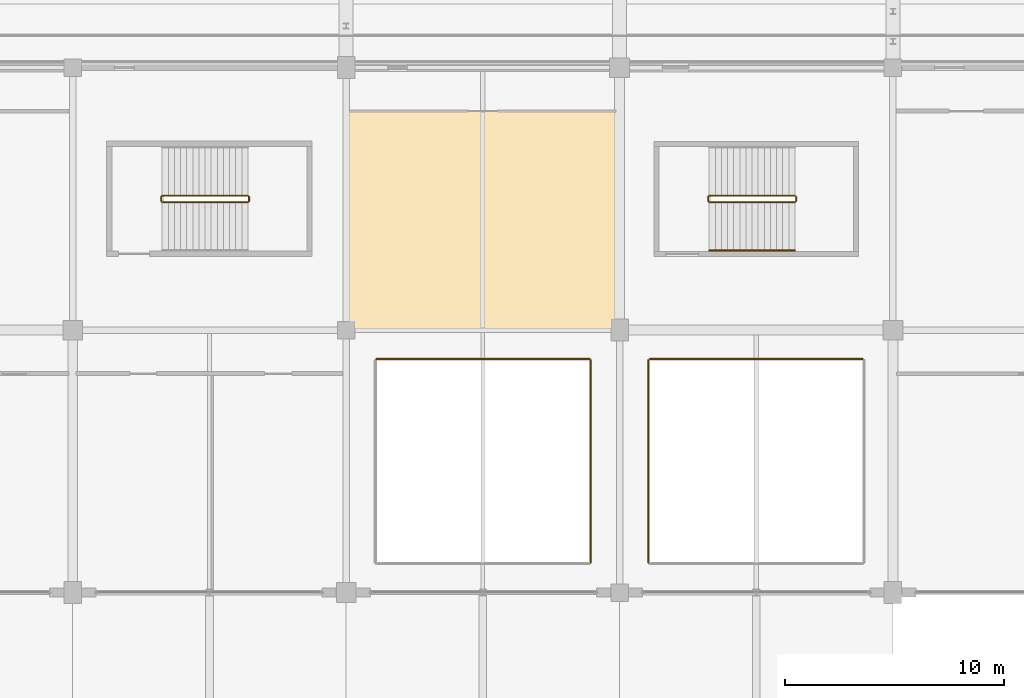
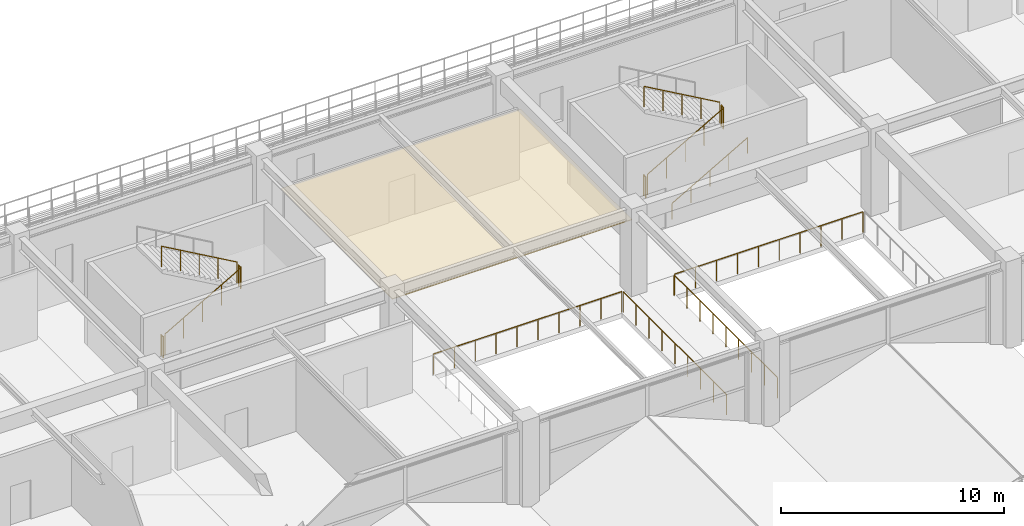
# One storey, part 101 of 134: 13 railings, 1 covering.
"""IFC4 building model written with IfcOpenShell, lengths in metres."""

from ifc_helpers import new_model, si_unit, direction, frame, origin, origin_2d, place, context, subcontext, project, spatial, polyline, circle, outline, extrude, material, layer, layer_set, type_object, element, save


model = new_model("IFC4")

# Units and contexts
model_context = context("Model", 3, precision=1e-05, world=origin(), true_north=direction((0.0, 1.0)))
body_context = subcontext(model_context, "Body", "Model", "MODEL_VIEW")
ifc_project = project(units=[si_unit("LENGTHUNIT", "METRE"), si_unit("AREAUNIT", "SQUARE_METRE"), si_unit("VOLUMEUNIT", "CUBIC_METRE"), si_unit("PLANEANGLEUNIT", "RADIAN"), si_unit("MASSUNIT", "GRAM", prefix="KILO")], contexts=[model_context])

# Site, building, storey
site_placement = place(None, origin())
site = spatial("IfcSite", under=ifc_project, at=site_placement, CompositionType="ELEMENT")
building_placement = place(site_placement, origin())
building = spatial("IfcBuilding", under=site, at=building_placement, Name="Kazenohara Klinker Stadium", CompositionType="ELEMENT")
storey_placement = place(building_placement, frame((0.0, 0.0, 5.39990234375)))
storey = spatial("IfcBuildingStorey", under=building, at=storey_placement, Name="L01", CompositionType="ELEMENT", Elevation=5.39990234375)

# Covering
ifc_material_1 = material(Name="Slatted Hokkaido cedar acoustic baffle ceiling", Category="wood")
ifc_layer_1 = layer(ifc_material_1, 0.0400390625)
ifc_layer_set_1 = layer_set([ifc_layer_1], Name="Slatted Hokkaido cedar acoustic baffle ceiling")
covering_type = type_object("IfcCoveringType", Name="COV-CEIL-02", PredefinedType="CEILING", material=ifc_layer_set_1)
covering_placement = place(storey_placement, frame((0.0, 0.0, 3.739990234375)))
element("IfcCovering", 1, at=covering_placement, inside=storey, type_object=covering_type, Name="Suspended acoustic ceiling CL02 Concourse Supporter Beer Dining Hall L01-0602A", PredefinedType="CEILING", context=body_context, shape_type="SweptSolid", body=[
    extrude(outline(polyline([(74.0400390625, 24.06005859375), (86.4599609375, 24.06005859375), (86.4599609375, 34.0400390625), (74.0400390625, 34.0400390625), (74.0400390625, 24.06005859375)])), origin(), (0.0, 0.0, 1.0), 0.0400390625),
])

# Railings
ifc_material_2 = material(Name="Tempered laminated glass and stainless steel 316 balustrade", Category="steel")
ifc_layer_2 = layer(ifc_material_2, 0.090087890625)
ifc_layer_set_2 = layer_set([ifc_layer_2], Name="Tempered laminated glass and stainless steel 316 balustrade")
railing_type_1 = type_object("IfcRailingType", Name="RL-BAL-1150", PredefinedType="BALUSTRADE", material=ifc_layer_set_2)
railing_1_placement = place(storey_placement, frame((75.3701171875, 22.679931640625, 0.0)))
element("IfcRailing", 2, at=railing_1_placement, inside=storey, type_object=railing_type_1, Name="Double-height atrium gallery balustrade BL01-V01-N", PredefinedType="BALUSTRADE", context=body_context, shape_type="SweptSolid", body=[
    extrude(circle(Radius=0.02392578125, at=origin_2d()), frame((0.0, 0.0, 1.1259765625), z_axis=(1.0, 0.0, 0.0), x_axis=(0.0, 1.0, 0.0)), (0.0, 0.0, 1.0), 9.759765625),
    extrude(circle(Radius=0.02099609375, at=origin_2d()), origin(), (0.0, 0.0, 1.0), 1.101806640625),
    extrude(circle(Radius=0.02099609375, at=origin_2d()), frame((1.08447265625, 0.0, 0.0)), (0.0, 0.0, 1.0), 1.101806640625),
    extrude(circle(Radius=0.02099609375, at=origin_2d()), frame((2.1689453125, 0.0, 0.0)), (0.0, 0.0, 1.0), 1.101806640625),
    extrude(circle(Radius=0.02099609375, at=origin_2d()), frame((3.253173828125, 0.0, 0.0)), (0.0, 0.0, 1.0), 1.101806640625),
    extrude(circle(Radius=0.02099609375, at=origin_2d()), frame((4.337646484375, 0.0, 0.0)), (0.0, 0.0, 1.0), 1.101806640625),
    extrude(circle(Radius=0.02099609375, at=origin_2d()), frame((5.422119140625, 0.0, 0.0)), (0.0, 0.0, 1.0), 1.101806640625),
    extrude(circle(Radius=0.02099609375, at=origin_2d()), frame((6.506591796875, 0.0, 0.0)), (0.0, 0.0, 1.0), 1.101806640625),
    extrude(circle(Radius=0.02099609375, at=origin_2d()), frame((7.5908203125, 0.0, 0.0)), (0.0, 0.0, 1.0), 1.101806640625),
    extrude(circle(Radius=0.02099609375, at=origin_2d()), frame((8.67529296875, 0.0, 0.0)), (0.0, 0.0, 1.0), 1.101806640625),
    extrude(circle(Radius=0.02099609375, at=origin_2d()), frame((9.759765625, 0.0, 0.0)), (0.0, 0.0, 1.0), 1.101806640625),
])
railing_2_placement = place(storey_placement, frame((85.179931640625, 13.3701171875, 0.0)))
element("IfcRailing", 3, at=railing_2_placement, inside=storey, type_object=railing_type_1, Name="Double-height atrium gallery balustrade BL01-V01-E", PredefinedType="BALUSTRADE", context=body_context, shape_type="SweptSolid", body=[
    extrude(circle(Radius=0.02392578125, at=origin_2d()), frame((0.0, 0.0, 1.1259765625), z_axis=(0.0, 1.0, 0.0), x_axis=(-1.0, 0.0, 0.0)), (0.0, 0.0, 1.0), 9.259765625),
    extrude(circle(Radius=0.02099609375, at=origin_2d()), origin(), (0.0, 0.0, 1.0), 1.101806640625),
    extrude(circle(Radius=0.02099609375, at=origin_2d()), frame((0.0, 1.157470703125, 0.0)), (0.0, 0.0, 1.0), 1.101806640625),
    extrude(circle(Radius=0.02099609375, at=origin_2d()), frame((0.0, 2.31494140625, 0.0)), (0.0, 0.0, 1.0), 1.101806640625),
    extrude(circle(Radius=0.02099609375, at=origin_2d()), frame((0.0, 3.472412109375, 0.0)), (0.0, 0.0, 1.0), 1.101806640625),
    extrude(circle(Radius=0.02099609375, at=origin_2d()), frame((0.0, 4.6298828125, 0.0)), (0.0, 0.0, 1.0), 1.101806640625),
    extrude(circle(Radius=0.02099609375, at=origin_2d()), frame((0.0, 5.787353515625, 0.0)), (0.0, 0.0, 1.0), 1.101806640625),
    extrude(circle(Radius=0.02099609375, at=origin_2d()), frame((0.0, 6.94482421875, 0.0)), (0.0, 0.0, 1.0), 1.101806640625),
    extrude(circle(Radius=0.02099609375, at=origin_2d()), frame((0.0, 8.102294921875, 0.0)), (0.0, 0.0, 1.0), 1.101806640625),
    extrude(circle(Radius=0.02099609375, at=origin_2d()), frame((0.0, 9.259765625, 0.0)), (0.0, 0.0, 1.0), 1.101806640625),
])
railing_3_placement = place(storey_placement, frame((87.8701171875, 22.679931640625, 0.0)))
element("IfcRailing", 4, at=railing_3_placement, inside=storey, type_object=railing_type_1, Name="Double-height atrium gallery balustrade BL01-V02-N", PredefinedType="BALUSTRADE", context=body_context, shape_type="SweptSolid", body=[
    extrude(circle(Radius=0.02392578125, at=origin_2d()), frame((0.0, 0.0, 1.1259765625), z_axis=(1.0, 0.0, 0.0), x_axis=(0.0, 1.0, 0.0)), (0.0, 0.0, 1.0), 9.759765625),
    extrude(circle(Radius=0.02099609375, at=origin_2d()), origin(), (0.0, 0.0, 1.0), 1.101806640625),
    extrude(circle(Radius=0.02099609375, at=origin_2d()), frame((1.08447265625, 0.0, 0.0)), (0.0, 0.0, 1.0), 1.101806640625),
    extrude(circle(Radius=0.02099609375, at=origin_2d()), frame((2.1689453125, 0.0, 0.0)), (0.0, 0.0, 1.0), 1.101806640625),
    extrude(circle(Radius=0.02099609375, at=origin_2d()), frame((3.253173828125, 0.0, 0.0)), (0.0, 0.0, 1.0), 1.101806640625),
    extrude(circle(Radius=0.02099609375, at=origin_2d()), frame((4.337646484375, 0.0, 0.0)), (0.0, 0.0, 1.0), 1.101806640625),
    extrude(circle(Radius=0.02099609375, at=origin_2d()), frame((5.422119140625, 0.0, 0.0)), (0.0, 0.0, 1.0), 1.101806640625),
    extrude(circle(Radius=0.02099609375, at=origin_2d()), frame((6.506591796875, 0.0, 0.0)), (0.0, 0.0, 1.0), 1.101806640625),
    extrude(circle(Radius=0.02099609375, at=origin_2d()), frame((7.5908203125, 0.0, 0.0)), (0.0, 0.0, 1.0), 1.101806640625),
    extrude(circle(Radius=0.02099609375, at=origin_2d()), frame((8.67529296875, 0.0, 0.0)), (0.0, 0.0, 1.0), 1.101806640625),
    extrude(circle(Radius=0.02099609375, at=origin_2d()), frame((9.759765625, 0.0, 0.0)), (0.0, 0.0, 1.0), 1.101806640625),
])
railing_4_placement = place(storey_placement, frame((87.820068359375, 13.3701171875, 0.0)))
element("IfcRailing", 5, at=railing_4_placement, inside=storey, type_object=railing_type_1, Name="Double-height atrium gallery balustrade BL01-V02-W", PredefinedType="BALUSTRADE", context=body_context, shape_type="SweptSolid", body=[
    extrude(circle(Radius=0.02392578125, at=origin_2d()), frame((0.0, 0.0, 1.1259765625), z_axis=(0.0, 1.0, 0.0), x_axis=(-1.0, 0.0, 0.0)), (0.0, 0.0, 1.0), 9.259765625),
    extrude(circle(Radius=0.02099609375, at=origin_2d()), origin(), (0.0, 0.0, 1.0), 1.101806640625),
    extrude(circle(Radius=0.02099609375, at=origin_2d()), frame((0.0, 1.157470703125, 0.0)), (0.0, 0.0, 1.0), 1.101806640625),
    extrude(circle(Radius=0.02099609375, at=origin_2d()), frame((0.0, 2.31494140625, 0.0)), (0.0, 0.0, 1.0), 1.101806640625),
    extrude(circle(Radius=0.02099609375, at=origin_2d()), frame((0.0, 3.472412109375, 0.0)), (0.0, 0.0, 1.0), 1.101806640625),
    extrude(circle(Radius=0.02099609375, at=origin_2d()), frame((0.0, 4.6298828125, 0.0)), (0.0, 0.0, 1.0), 1.101806640625),
    extrude(circle(Radius=0.02099609375, at=origin_2d()), frame((0.0, 5.787353515625, 0.0)), (0.0, 0.0, 1.0), 1.101806640625),
    extrude(circle(Radius=0.02099609375, at=origin_2d()), frame((0.0, 6.94482421875, 0.0)), (0.0, 0.0, 1.0), 1.101806640625),
    extrude(circle(Radius=0.02099609375, at=origin_2d()), frame((0.0, 8.102294921875, 0.0)), (0.0, 0.0, 1.0), 1.101806640625),
    extrude(circle(Radius=0.02099609375, at=origin_2d()), frame((0.0, 9.259765625, 0.0)), (0.0, 0.0, 1.0), 1.101806640625),
])
ifc_material_3 = material(Name="Brushed stainless steel 304 handrail", Category="steel")
ifc_layer_3 = layer(ifc_material_3, 0.050048828125)
ifc_layer_set_3 = layer_set([ifc_layer_3], Name="Brushed stainless steel 304 handrail")
railing_type_2 = type_object("IfcRailingType", Name="RL-HND-900", PredefinedType="HANDRAIL", material=ifc_layer_set_3)
railing_5_placement = place(storey_placement, frame((90.60009765625, 27.639892578125, 0.16015625)))
element("IfcRailing", 6, at=railing_5_placement, inside=storey, type_object=railing_type_2, Name="L01 ST26 stair handrail 1", PredefinedType="HANDRAIL", context=body_context, shape_type="SweptSolid", body=[
    extrude(circle(Radius=0.02392578125, at=origin_2d()), frame((0.0, 0.0, 0.8759765625), z_axis=(0.868239814368, 0.0, 0.496144761885), x_axis=(0.0, 1.0, 0.0)), (0.0, 0.0, 1.0), 4.514892578125),
    extrude(circle(Radius=0.02099609375, at=origin_2d()), origin(), (0.0, 0.0, 1.0), 0.851806640625),
    extrude(circle(Radius=0.02099609375, at=origin_2d()), frame((0.97998046875, 0.0, 0.56005859375)), (0.0, 0.0, 1.0), 0.851806640625),
    extrude(circle(Radius=0.02099609375, at=origin_2d()), frame((1.9599609375, 0.0, 1.1201171875)), (0.0, 0.0, 1.0), 0.851806640625),
    extrude(circle(Radius=0.02099609375, at=origin_2d()), frame((2.93994140625, 0.0, 1.679931640625)), (0.0, 0.0, 1.0), 0.851806640625),
    extrude(circle(Radius=0.02099609375, at=origin_2d()), frame((3.919921875, 0.0, 2.239990234375)), (0.0, 0.0, 1.0), 0.851806640625),
])
ifc_material_4 = material(Name="Painted steel stairwell guardrail", Category="steel")
ifc_layer_4 = layer(ifc_material_4, 0.06005859375)
ifc_layer_set_4 = layer_set([ifc_layer_4], Name="Painted steel stairwell guardrail")
railing_type_3 = type_object("IfcRailingType", Name="RL-STG-1120", PredefinedType="GUARDRAIL", material=ifc_layer_set_4)
railing_6_placement = place(storey_placement, frame((65.590087890625, 29.85009765625, 0.16015625)))
element("IfcRailing", 7, at=railing_6_placement, inside=storey, type_object=railing_type_3, Name="L01 ST25 stair guard 1", PredefinedType="GUARDRAIL", context=body_context, shape_type="SweptSolid", body=[
    extrude(circle(Radius=0.02392578125, at=origin_2d()), frame((0.0, 0.0, 1.1259765625), z_axis=(0.868239814368, 0.0, 0.496144761885), x_axis=(0.0, 1.0, 0.0)), (0.0, 0.0, 1.0), 4.514892578125),
    extrude(circle(Radius=0.02099609375, at=origin_2d()), origin(), (0.0, 0.0, 1.0), 1.101806640625),
    extrude(circle(Radius=0.02099609375, at=origin_2d()), frame((0.97998046875, 0.0, 0.56005859375)), (0.0, 0.0, 1.0), 1.101806640625),
    extrude(circle(Radius=0.02099609375, at=origin_2d()), frame((1.9599609375, 0.0, 1.1201171875)), (0.0, 0.0, 1.0), 1.101806640625),
    extrude(circle(Radius=0.02099609375, at=origin_2d()), frame((2.93994140625, 0.0, 1.679931640625)), (0.0, 0.0, 1.0), 1.101806640625),
    extrude(circle(Radius=0.02099609375, at=origin_2d()), frame((3.919921875, 0.0, 2.239990234375)), (0.0, 0.0, 1.0), 1.101806640625),
])
railing_7_placement = place(storey_placement, frame((69.56005859375, 29.89990234375, 2.400146484375)))
element("IfcRailing", 8, at=railing_7_placement, inside=storey, type_object=railing_type_3, Name="L01 ST25 stair guard 2", PredefinedType="GUARDRAIL", context=body_context, shape_type="SweptSolid", body=[
    extrude(circle(Radius=0.02392578125, at=origin_2d()), frame((0.0, 0.0, 1.1259765625), z_axis=(0.0, 1.0, 0.0), x_axis=(-1.0, 0.0, 0.0)), (0.0, 0.0, 1.0), 0.2001953125),
    extrude(circle(Radius=0.02099609375, at=origin_2d()), origin(), (0.0, 0.0, 1.0), 1.101806640625),
    extrude(circle(Radius=0.02099609375, at=origin_2d()), frame((0.0, 0.2001953125, 0.0)), (0.0, 0.0, 1.0), 1.101806640625),
])
railing_8_placement = place(storey_placement, frame((69.510009765625, 30.14990234375, 2.56005859375)))
element("IfcRailing", 9, at=railing_8_placement, inside=storey, type_object=railing_type_3, Name="L01 ST25 stair guard 3", PredefinedType="GUARDRAIL", context=body_context, shape_type="SweptSolid", body=[
    extrude(circle(Radius=0.02392578125, at=origin_2d()), frame((0.0, 0.0, 1.1259765625), z_axis=(-0.868239814368, 0.0, 0.496144761885), x_axis=(0.0, -1.0, 0.0)), (0.0, 0.0, 1.0), 4.514892578125),
    extrude(circle(Radius=0.02099609375, at=origin_2d()), origin(), (0.0, 0.0, 1.0), 1.101806640625),
    extrude(circle(Radius=0.02099609375, at=origin_2d()), frame((-0.97998046875, 0.0, 0.56005859375)), (0.0, 0.0, 1.0), 1.101806640625),
    extrude(circle(Radius=0.02099609375, at=origin_2d()), frame((-1.9599609375, 0.0, 1.1201171875)), (0.0, 0.0, 1.0), 1.101806640625),
    extrude(circle(Radius=0.02099609375, at=origin_2d()), frame((-2.93994140625, 0.0, 1.679931640625)), (0.0, 0.0, 1.0), 1.101806640625),
    extrude(circle(Radius=0.02099609375, at=origin_2d()), frame((-3.919921875, 0.0, 2.239990234375)), (0.0, 0.0, 1.0), 1.101806640625),
])
railing_9_placement = place(storey_placement, frame((65.5400390625, 29.89990234375, 0.0)))
element("IfcRailing", 10, at=railing_9_placement, inside=storey, type_object=railing_type_3, Name="L01 ST25 stair guard 4", PredefinedType="GUARDRAIL", context=body_context, shape_type="SweptSolid", body=[
    extrude(circle(Radius=0.02392578125, at=origin_2d()), frame((0.0, 0.0, 1.1259765625), z_axis=(0.0, 1.0, 0.0), x_axis=(-1.0, 0.0, 0.0)), (0.0, 0.0, 1.0), 0.2001953125),
    extrude(circle(Radius=0.02099609375, at=origin_2d()), origin(), (0.0, 0.0, 1.0), 1.101806640625),
    extrude(circle(Radius=0.02099609375, at=origin_2d()), frame((0.0, 0.2001953125, 0.0)), (0.0, 0.0, 1.0), 1.101806640625),
])
railing_10_placement = place(storey_placement, frame((90.60009765625, 29.85009765625, 0.16015625)))
element("IfcRailing", 11, at=railing_10_placement, inside=storey, type_object=railing_type_3, Name="L01 ST26 stair guard 1", PredefinedType="GUARDRAIL", context=body_context, shape_type="SweptSolid", body=[
    extrude(circle(Radius=0.02392578125, at=origin_2d()), frame((0.0, 0.0, 1.1259765625), z_axis=(0.868239814368, 0.0, 0.496144761885), x_axis=(0.0, 1.0, 0.0)), (0.0, 0.0, 1.0), 4.514892578125),
    extrude(circle(Radius=0.02099609375, at=origin_2d()), origin(), (0.0, 0.0, 1.0), 1.101806640625),
    extrude(circle(Radius=0.02099609375, at=origin_2d()), frame((0.97998046875, 0.0, 0.56005859375)), (0.0, 0.0, 1.0), 1.101806640625),
    extrude(circle(Radius=0.02099609375, at=origin_2d()), frame((1.9599609375, 0.0, 1.1201171875)), (0.0, 0.0, 1.0), 1.101806640625),
    extrude(circle(Radius=0.02099609375, at=origin_2d()), frame((2.93994140625, 0.0, 1.679931640625)), (0.0, 0.0, 1.0), 1.101806640625),
    extrude(circle(Radius=0.02099609375, at=origin_2d()), frame((3.919921875, 0.0, 2.239990234375)), (0.0, 0.0, 1.0), 1.101806640625),
])
railing_11_placement = place(storey_placement, frame((94.570068359375, 29.89990234375, 2.400146484375)))
element("IfcRailing", 12, at=railing_11_placement, inside=storey, type_object=railing_type_3, Name="L01 ST26 stair guard 2", PredefinedType="GUARDRAIL", context=body_context, shape_type="SweptSolid", body=[
    extrude(circle(Radius=0.02392578125, at=origin_2d()), frame((0.0, 0.0, 1.1259765625), z_axis=(0.0, 1.0, 0.0), x_axis=(-1.0, 0.0, 0.0)), (0.0, 0.0, 1.0), 0.2001953125),
    extrude(circle(Radius=0.02099609375, at=origin_2d()), origin(), (0.0, 0.0, 1.0), 1.101806640625),
    extrude(circle(Radius=0.02099609375, at=origin_2d()), frame((0.0, 0.2001953125, 0.0)), (0.0, 0.0, 1.0), 1.101806640625),
])
railing_12_placement = place(storey_placement, frame((94.52001953125, 30.14990234375, 2.56005859375)))
element("IfcRailing", 13, at=railing_12_placement, inside=storey, type_object=railing_type_3, Name="L01 ST26 stair guard 3", PredefinedType="GUARDRAIL", context=body_context, shape_type="SweptSolid", body=[
    extrude(circle(Radius=0.02392578125, at=origin_2d()), frame((0.0, 0.0, 1.1259765625), z_axis=(-0.868239814368, 0.0, 0.496144761885), x_axis=(0.0, -1.0, 0.0)), (0.0, 0.0, 1.0), 4.514892578125),
    extrude(circle(Radius=0.02099609375, at=origin_2d()), origin(), (0.0, 0.0, 1.0), 1.101806640625),
    extrude(circle(Radius=0.02099609375, at=origin_2d()), frame((-0.97998046875, 0.0, 0.56005859375)), (0.0, 0.0, 1.0), 1.101806640625),
    extrude(circle(Radius=0.02099609375, at=origin_2d()), frame((-1.9599609375, 0.0, 1.1201171875)), (0.0, 0.0, 1.0), 1.101806640625),
    extrude(circle(Radius=0.02099609375, at=origin_2d()), frame((-2.93994140625, 0.0, 1.679931640625)), (0.0, 0.0, 1.0), 1.101806640625),
    extrude(circle(Radius=0.02099609375, at=origin_2d()), frame((-3.919921875, 0.0, 2.239990234375)), (0.0, 0.0, 1.0), 1.101806640625),
])
railing_13_placement = place(storey_placement, frame((90.550048828125, 29.89990234375, 0.0)))
element("IfcRailing", 14, at=railing_13_placement, inside=storey, type_object=railing_type_3, Name="L01 ST26 stair guard 4", PredefinedType="GUARDRAIL", context=body_context, shape_type="SweptSolid", body=[
    extrude(circle(Radius=0.02392578125, at=origin_2d()), frame((0.0, 0.0, 1.1259765625), z_axis=(0.0, 1.0, 0.0), x_axis=(-1.0, 0.0, 0.0)), (0.0, 0.0, 1.0), 0.2001953125),
    extrude(circle(Radius=0.02099609375, at=origin_2d()), origin(), (0.0, 0.0, 1.0), 1.101806640625),
    extrude(circle(Radius=0.02099609375, at=origin_2d()), frame((0.0, 0.2001953125, 0.0)), (0.0, 0.0, 1.0), 1.101806640625),
])

save(model, "model.ifc")
